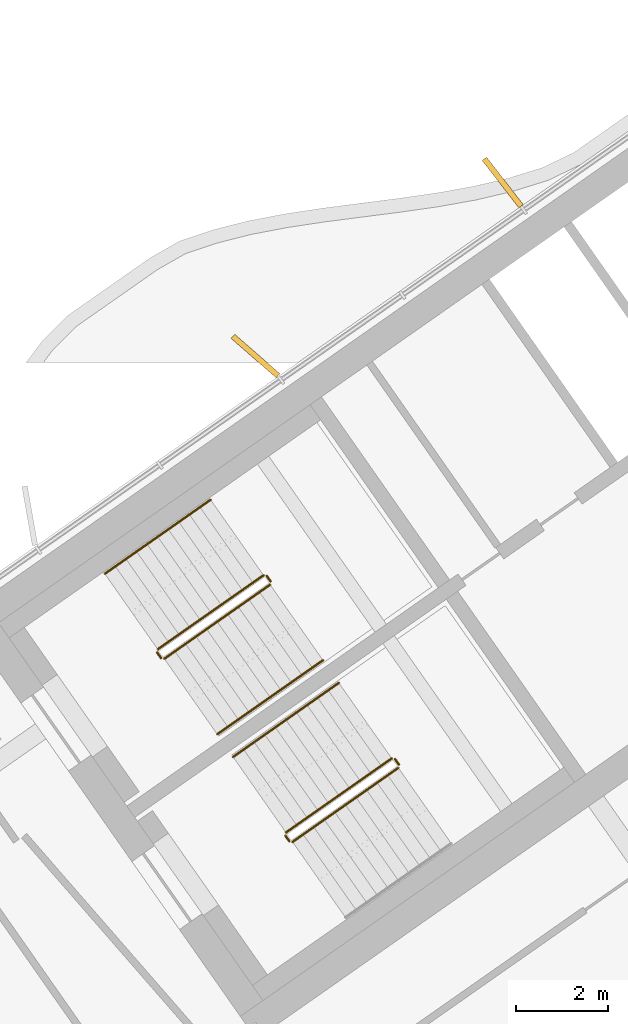
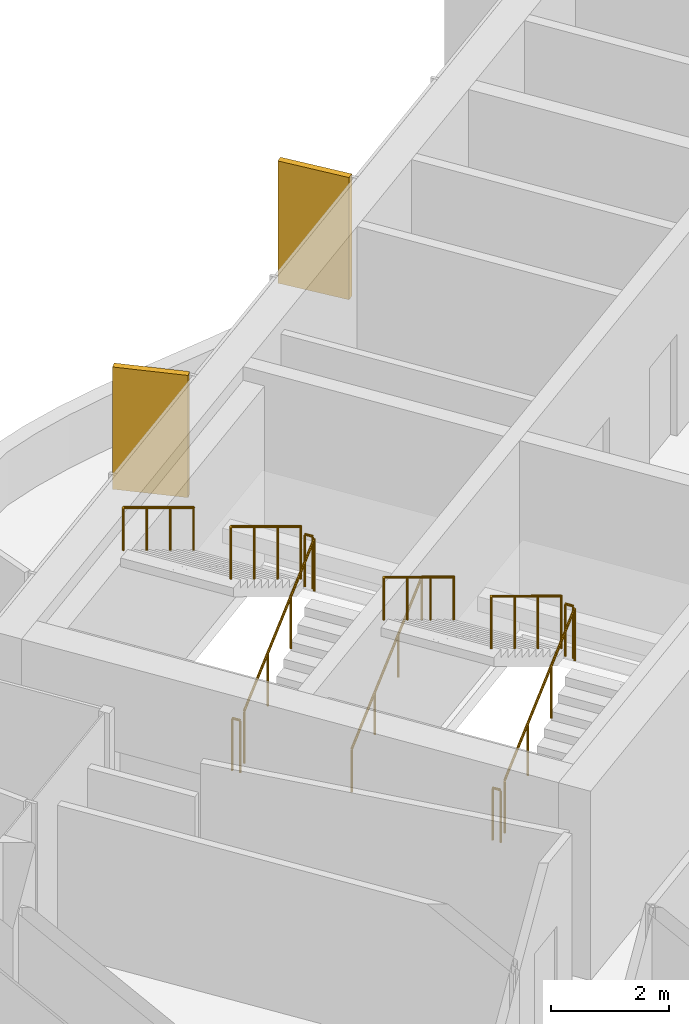
# One storey, part 15 of 18: 11 railings, 2 shading devices.
"""IFC4 building model written with IfcOpenShell, lengths in metres."""

from ifc_helpers import new_model, si_unit, direction, frame, origin, origin_2d, place, context, subcontext, project, spatial, rectangle, circle, extrude, material, layer, layer_set, type_object, element, save


model = new_model("IFC4")

# Units and contexts
model_context = context("Model", 3, precision=1e-05, world=origin(), true_north=direction((0.0, 1.0)))
body_context = subcontext(model_context, "Body", "Model", "MODEL_VIEW")
ifc_project = project(units=[si_unit("LENGTHUNIT", "METRE"), si_unit("AREAUNIT", "SQUARE_METRE"), si_unit("VOLUMEUNIT", "CUBIC_METRE"), si_unit("PLANEANGLEUNIT", "RADIAN"), si_unit("MASSUNIT", "GRAM", prefix="KILO")], contexts=[model_context])

# Site, building, storey
site_placement = place(None, origin())
site = spatial("IfcSite", under=ifc_project, at=site_placement, CompositionType="ELEMENT")
building_placement = place(site_placement, origin())
building = spatial("IfcBuilding", under=site, at=building_placement, Name="Tel Ilan Convention Tower", CompositionType="ELEMENT")
storey_placement = place(building_placement, frame((0.0, 0.0, 264.39990234375)))
storey = spatial("IfcBuildingStorey", under=building, at=storey_placement, Name="L62", CompositionType="ELEMENT", Elevation=264.39990234375)

# Shading devices
ifc_material_1 = material(Name="Aluminium, bronze anodised", Category="aluminium")
ifc_layer = layer(ifc_material_1, 0.1201171875)
ifc_layer_set = layer_set([ifc_layer], Name="FIN BRONZE 1300x120")
shading_device_type = type_object("IfcShadingDeviceType", Name="FIN BRONZE 1300x120", PredefinedType="USERDEFINED", material=ifc_layer_set)
for number, where, z_axis, x_axis, name in (
    (1, (-16.1953125, 2.273681640625, 1.10009765625), (0.0, 0.0, 1.0), (-0.612600545196, 0.790392669516, 0.0), "FIN"),
    (2, (-21.55859375, -1.490234375, 1.10009765625), (0.0, 0.0, 1.0), (-0.753435896329, 0.657521368568, 0.0), "FIN"),
):
    element("IfcShadingDevice", number, at=place(storey_placement, frame(where, z_axis=z_axis, x_axis=x_axis)), inside=storey, type_object=shading_device_type, Name=name, ObjectType="FIN", PredefinedType="USERDEFINED", context=body_context, shape_type="SweptSolid", body=[
        extrude(rectangle(XDim=1.300048828125, YDim=0.1201171875, at=origin_2d()), origin(), (0.0, 0.0, 1.0), 2.52001953125),
    ])

# Railings
ifc_material_2 = material(Name="Stainless Steel Grade 316", Category="steel")
railing_type_1 = type_object("IfcRailingType", Name="Stainless Steel Stair Guard 1100 mm", PredefinedType="GUARDRAIL", material=ifc_material_2)
railing_1_placement = place(storey_placement, frame((-23.535400390625, -8.056396484375, 0.177490234375)))
element("IfcRailing", 3, at=railing_1_placement, inside=storey, type_object=railing_type_1, Name="L62 S1 stair guard 1", PredefinedType="GUARDRAIL", context=body_context, shape_type="SweptSolid", body=[
    extrude(circle(Radius=0.02392578125, at=origin_2d()), frame((0.0, 0.0, 1.076171875), z_axis=(0.692098378994, 0.484653031975, 0.534893701956), x_axis=(-0.573608623498, 0.819129505664, 0.0)), (0.0, 0.0, 1.0), 3.314208984375),
    extrude(circle(Radius=0.02099609375, at=origin_2d()), origin(), (0.0, 0.0, 1.0), 1.052001953125),
    extrude(circle(Radius=0.02099609375, at=origin_2d()), frame((0.7646484375, 0.535400390625, 0.5908203125)), (0.0, 0.0, 1.0), 1.052001953125),
    extrude(circle(Radius=0.02099609375, at=origin_2d()), frame((1.529052734375, 1.07080078125, 1.181884765625)), (0.0, 0.0, 1.0), 1.052001953125),
    extrude(circle(Radius=0.02099609375, at=origin_2d()), frame((2.293701171875, 1.606201171875, 1.772705078125)), (0.0, 0.0, 1.0), 1.052001953125),
])
railing_2_placement = place(storey_placement, frame((-21.2294921875, -6.380615234375, 1.9501953125)))
element("IfcRailing", 4, at=railing_2_placement, inside=storey, type_object=railing_type_1, Name="L62 S1 stair guard 2", PredefinedType="GUARDRAIL", context=body_context, shape_type="SweptSolid", body=[
    extrude(circle(Radius=0.02392578125, at=origin_2d()), frame((0.0, 0.0, 1.076171875), z_axis=(-0.573353020881, 0.819308436089, 0.0), x_axis=(-0.819308436089, -0.573353020881, 0.0)), (0.0, 0.0, 1.0), 0.14990234375),
    extrude(circle(Radius=0.02099609375, at=origin_2d()), origin(), (0.0, 0.0, 1.0), 1.052001953125),
    extrude(circle(Radius=0.02099609375, at=origin_2d()), frame((-0.0859375, 0.122802734375, 0.0)), (0.0, 0.0, 1.0), 1.052001953125),
])
railing_3_placement = place(storey_placement, frame((-21.38525390625, -6.24560546875, 2.12744140625)))
element("IfcRailing", 5, at=railing_3_placement, inside=storey, type_object=railing_type_1, Name="L62 S1 stair guard 3", PredefinedType="GUARDRAIL", context=body_context, shape_type="SweptSolid", body=[
    extrude(circle(Radius=0.02392578125, at=origin_2d()), frame((0.0, 0.0, 1.076171875), z_axis=(-0.692084706163, -0.484621375041, 0.534940073605), x_axis=(0.573591086599, -0.819141785879, 0.0)), (0.0, 0.0, 1.0), 3.313720703125),
    extrude(circle(Radius=0.02099609375, at=origin_2d()), origin(), (0.0, 0.0, 1.0), 1.052001953125),
    extrude(circle(Radius=0.02099609375, at=origin_2d()), frame((-0.764404296875, -0.535400390625, 0.5908203125)), (0.0, 0.0, 1.0), 1.052001953125),
    extrude(circle(Radius=0.02099609375, at=origin_2d()), frame((-1.529052734375, -1.070556640625, 1.181884765625)), (0.0, 0.0, 1.0), 1.052001953125),
    extrude(circle(Radius=0.02099609375, at=origin_2d()), frame((-2.29345703125, -1.60595703125, 1.772705078125)), (0.0, 0.0, 1.0), 1.052001953125),
])
railing_4_placement = place(storey_placement, frame((-23.60498046875, -8.0439453125, 0.0)))
element("IfcRailing", 6, at=railing_4_placement, inside=storey, type_object=railing_type_1, Name="L62 S1 stair guard 4", PredefinedType="GUARDRAIL", context=body_context, shape_type="SweptSolid", body=[
    extrude(circle(Radius=0.02392578125, at=origin_2d()), frame((0.0, 0.0, 1.076171875), z_axis=(-0.574444878118, 0.818543268254, 0.0), x_axis=(-0.818543268254, -0.574444878118, 0.0)), (0.0, 0.0, 1.0), 0.150146484375),
    extrude(circle(Radius=0.02099609375, at=origin_2d()), origin(), (0.0, 0.0, 1.0), 1.052001953125),
    extrude(circle(Radius=0.02099609375, at=origin_2d()), frame((-0.086181640625, 0.122802734375, 0.0)), (0.0, 0.0, 1.0), 1.052001953125),
])
railing_5_placement = place(storey_placement, frame((-20.753662109375, -12.029296875, 0.177490234375)))
element("IfcRailing", 7, at=railing_5_placement, inside=storey, type_object=railing_type_1, Name="L62 S2 stair guard 1", PredefinedType="GUARDRAIL", context=body_context, shape_type="SweptSolid", body=[
    extrude(circle(Radius=0.02392578125, at=origin_2d()), frame((0.0, 0.0, 1.076171875), z_axis=(0.692098378994, 0.484653031975, 0.534893701956), x_axis=(-0.573608623498, 0.819129505664, 0.0)), (0.0, 0.0, 1.0), 3.314208984375),
    extrude(circle(Radius=0.02099609375, at=origin_2d()), origin(), (0.0, 0.0, 1.0), 1.052001953125),
    extrude(circle(Radius=0.02099609375, at=origin_2d()), frame((0.7646484375, 0.535400390625, 0.5908203125)), (0.0, 0.0, 1.0), 1.052001953125),
    extrude(circle(Radius=0.02099609375, at=origin_2d()), frame((1.529052734375, 1.07080078125, 1.181884765625)), (0.0, 0.0, 1.0), 1.052001953125),
    extrude(circle(Radius=0.02099609375, at=origin_2d()), frame((2.293701171875, 1.606201171875, 1.772705078125)), (0.0, 0.0, 1.0), 1.052001953125),
])
railing_6_placement = place(storey_placement, frame((-18.44775390625, -10.353515625, 1.9501953125)))
element("IfcRailing", 8, at=railing_6_placement, inside=storey, type_object=railing_type_1, Name="L62 S2 stair guard 2", PredefinedType="GUARDRAIL", context=body_context, shape_type="SweptSolid", body=[
    extrude(circle(Radius=0.02392578125, at=origin_2d()), frame((0.0, 0.0, 1.076171875), z_axis=(-0.573353020881, 0.819308436089, 0.0), x_axis=(-0.819308436089, -0.573353020881, 0.0)), (0.0, 0.0, 1.0), 0.14990234375),
    extrude(circle(Radius=0.02099609375, at=origin_2d()), origin(), (0.0, 0.0, 1.0), 1.052001953125),
    extrude(circle(Radius=0.02099609375, at=origin_2d()), frame((-0.0859375, 0.122802734375, 0.0)), (0.0, 0.0, 1.0), 1.052001953125),
])
railing_7_placement = place(storey_placement, frame((-18.603271484375, -10.218505859375, 2.12744140625)))
element("IfcRailing", 9, at=railing_7_placement, inside=storey, type_object=railing_type_1, Name="L62 S2 stair guard 3", PredefinedType="GUARDRAIL", context=body_context, shape_type="SweptSolid", body=[
    extrude(circle(Radius=0.02392578125, at=origin_2d()), frame((0.0, 0.0, 1.076171875), z_axis=(-0.692123088272, -0.484596665743, 0.534912798717), x_axis=(0.573550118428, -0.819170471667, 0.0)), (0.0, 0.0, 1.0), 3.31396484375),
    extrude(circle(Radius=0.02099609375, at=origin_2d()), origin(), (0.0, 0.0, 1.0), 1.052001953125),
    extrude(circle(Radius=0.02099609375, at=origin_2d()), frame((-0.7646484375, -0.535400390625, 0.5908203125)), (0.0, 0.0, 1.0), 1.052001953125),
    extrude(circle(Radius=0.02099609375, at=origin_2d()), frame((-1.529052734375, -1.070556640625, 1.181884765625)), (0.0, 0.0, 1.0), 1.052001953125),
    extrude(circle(Radius=0.02099609375, at=origin_2d()), frame((-2.293701171875, -1.60595703125, 1.772705078125)), (0.0, 0.0, 1.0), 1.052001953125),
])
railing_8_placement = place(storey_placement, frame((-20.8232421875, -12.016845703125, 0.0)))
element("IfcRailing", 10, at=railing_8_placement, inside=storey, type_object=railing_type_1, Name="L62 S2 stair guard 4", PredefinedType="GUARDRAIL", context=body_context, shape_type="SweptSolid", body=[
    extrude(circle(Radius=0.02392578125, at=origin_2d()), frame((0.0, 0.0, 1.076171875), z_axis=(-0.573353020881, 0.819308436089, 0.0), x_axis=(-0.819308436089, -0.573353020881, 0.0)), (0.0, 0.0, 1.0), 0.14990234375),
    extrude(circle(Radius=0.02099609375, at=origin_2d()), origin(), (0.0, 0.0, 1.0), 1.052001953125),
    extrude(circle(Radius=0.02099609375, at=origin_2d()), frame((-0.0859375, 0.122802734375, 0.0)), (0.0, 0.0, 1.0), 1.052001953125),
])
ifc_material_3 = material(Name="Stainless Steel Grade 316", Category="steel")
railing_type_2 = type_object("IfcRailingType", Name="Stainless Steel Stair Handrail 900 mm", PredefinedType="HANDRAIL", material=ifc_material_3)
railing_9_placement = place(storey_placement, frame((-22.38818359375, -9.694580078125, 0.177490234375)))
element("IfcRailing", 11, at=railing_9_placement, inside=storey, type_object=railing_type_2, Name="L62 S1 stair handrail 1", PredefinedType="HANDRAIL", context=body_context, shape_type="SweptSolid", body=[
    extrude(circle(Radius=0.02392578125, at=origin_2d()), frame((0.0, 0.0, 0.8759765625), z_axis=(0.692084706163, 0.484621375041, 0.534940073605), x_axis=(-0.573591086599, 0.819141785879, 0.0)), (0.0, 0.0, 1.0), 3.313720703125),
    extrude(circle(Radius=0.02099609375, at=origin_2d()), origin(), (0.0, 0.0, 1.0), 0.851806640625),
    extrude(circle(Radius=0.02099609375, at=origin_2d()), frame((0.764404296875, 0.535400390625, 0.5908203125)), (0.0, 0.0, 1.0), 0.851806640625),
    extrude(circle(Radius=0.02099609375, at=origin_2d()), frame((1.529052734375, 1.070556640625, 1.181884765625)), (0.0, 0.0, 1.0), 0.851806640625),
    extrude(circle(Radius=0.02099609375, at=origin_2d()), frame((2.29345703125, 1.60595703125, 1.772705078125)), (0.0, 0.0, 1.0), 0.851806640625),
])
for number, where, name in (
    (12, (-22.5322265625, -4.607177734375, 2.12744140625), "L62 S1 stair handrail 2"),
    (13, (-19.75048828125, -8.580078125, 2.12744140625), "L62 S2 stair handrail 2"),
):
    element("IfcRailing", number, at=place(storey_placement, frame(where)), inside=storey, type_object=railing_type_2, Name=name, PredefinedType="HANDRAIL", context=body_context, shape_type="SweptSolid", body=[
        extrude(circle(Radius=0.02392578125, at=origin_2d()), frame((0.0, 0.0, 0.8759765625), z_axis=(-0.692123088272, -0.484596665743, 0.534912798717), x_axis=(0.573550118428, -0.819170471667, 0.0)), (0.0, 0.0, 1.0), 3.31396484375),
        extrude(circle(Radius=0.02099609375, at=origin_2d()), origin(), (0.0, 0.0, 1.0), 0.851806640625),
        extrude(circle(Radius=0.02099609375, at=origin_2d()), frame((-0.7646484375, -0.535400390625, 0.5908203125)), (0.0, 0.0, 1.0), 0.851806640625),
        extrude(circle(Radius=0.02099609375, at=origin_2d()), frame((-1.529052734375, -1.070556640625, 1.181884765625)), (0.0, 0.0, 1.0), 0.851806640625),
        extrude(circle(Radius=0.02099609375, at=origin_2d()), frame((-2.293701171875, -1.60595703125, 1.772705078125)), (0.0, 0.0, 1.0), 0.851806640625),
    ])

save(model, "model.ifc")
